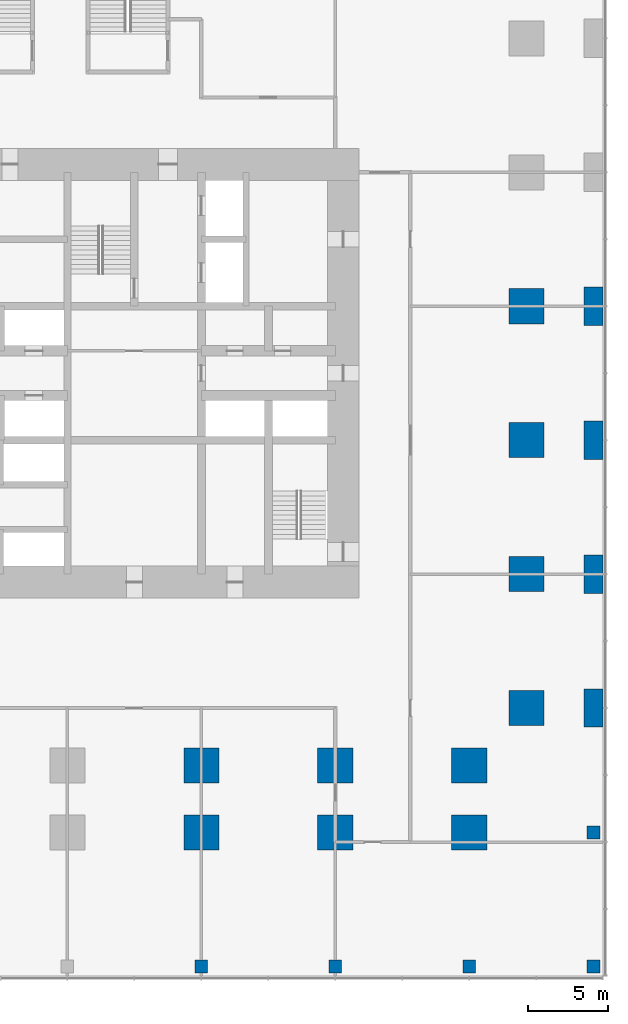
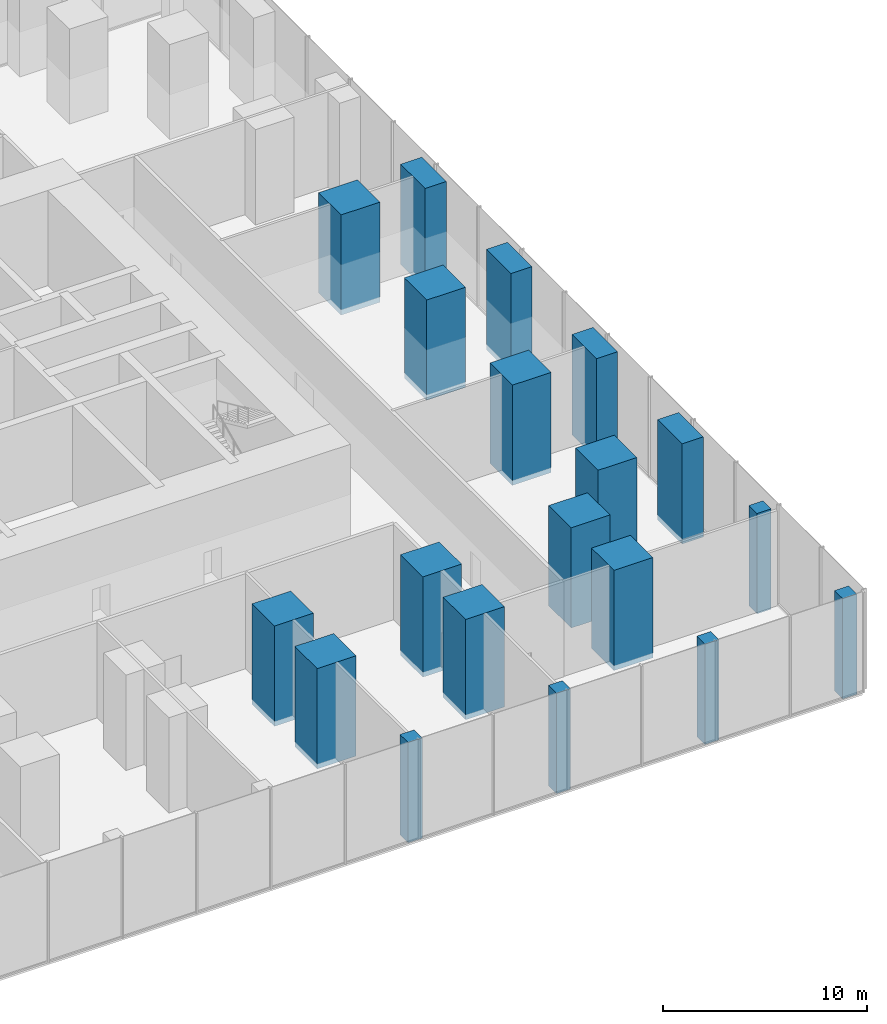
# One storey, part 9 of 32: 19 columns.
"""IFC4 building model written with IfcOpenShell, lengths in metres."""

import ifcopenshell
import ifcopenshell.guid

model = None  # the IFC model being written
_history = None  # IfcOwnerHistory: only IFC2X3 demands one
_inside = {}  # id of a spatial element -> (the spatial element, [elements in it])
_under = {}  # id of a project, library or spatial element -> (it, [spatial elements below it])
_declared = {}  # id of a project -> (the project, [libraries it declares])
_typed = {}  # id of a type object -> (the type object, [elements of that type])
_made_of = {}  # id of a material, layer set ... -> (it, [elements and type objects made of it])


def new_model(schema):
    """Start an empty IFC model of exactly this schema.

    Asked for "IFC4X3", IfcOpenShell would pick the latest addendum, in which some entities
    have other attributes; the version numbers below select the first issue.
    IFC2X3 requires an IfcOwnerHistory on every rooted entity: one is made here for all.
    """
    global model, _history
    if schema == "IFC4X3":
        model = ifcopenshell.file(schema_version=(4, 3, 0, 0))
    else:
        model = ifcopenshell.file(schema=schema)
    _inside.clear()
    _under.clear()
    _declared.clear()
    _typed.clear()
    _made_of.clear()
    _history = None
    if model.schema == "IFC2X3":
        org = make("IfcOrganization", Name="unknown")
        user = make(
            "IfcPersonAndOrganization",
            ThePerson=make("IfcPerson", FamilyName="unknown"),
            TheOrganization=org,
        )
        app = make(
            "IfcApplication",
            ApplicationDeveloper=org,
            Version="unknown",
            ApplicationFullName="unknown",
            ApplicationIdentifier="unknown",
        )
        _history = make(
            "IfcOwnerHistory",
            OwningUser=user,
            OwningApplication=app,
            ChangeAction="ADDED",
            CreationDate=0,
        )
    return model


def make(cls, **values):
    """One entity of the class cls with the attributes given. An attribute that is None is left unset."""
    return model.create_entity(
        cls, **{name: value for name, value in values.items() if value is not None}
    )


def rooted(cls, **values):
    """An entity with a GlobalId (a new one), such as an element, a storey or a relation."""
    return make(cls, GlobalId=ifcopenshell.guid.new(), OwnerHistory=_history, **values)


def si_unit(unit_type, name, prefix=None):
    """IfcSIUnit, for example si_unit("LENGTHUNIT", "METRE", prefix="MILLI")."""
    return make("IfcSIUnit", UnitType=unit_type, Prefix=prefix, Name=name)


def assignment(units):
    """IfcUnitAssignment: the units of a project."""
    return None if units is None else make("IfcUnitAssignment", Units=units)


def point(xyz):
    """IfcCartesianPoint."""
    return None if xyz is None else make("IfcCartesianPoint", Coordinates=xyz)


def direction(xyz):
    """IfcDirection."""
    return None if xyz is None else make("IfcDirection", DirectionRatios=xyz)


def frame(location, z_axis=None, x_axis=None):
    """IfcAxis2Placement3D, a coordinate frame: its origin and axes. An axis left out is left unset."""
    return make(
        "IfcAxis2Placement3D",
        Location=point(location),
        Axis=direction(z_axis),
        RefDirection=direction(x_axis),
    )


def frame_2d(location, x_axis=None):
    """IfcAxis2Placement2D, a coordinate frame in the plane: its origin and x axis."""
    return make(
        "IfcAxis2Placement2D", Location=point(location), RefDirection=direction(x_axis)
    )


def origin():
    """The frame at (0, 0, 0) with its axes left unset."""
    return frame((0.0, 0.0, 0.0))


def origin_2d():
    """The frame at (0, 0) in the plane with its x axis left unset."""
    return frame_2d((0.0, 0.0))


def place(relative_to, where):
    """IfcLocalPlacement: puts the frame where relative to a parent placement (None: the world)."""
    return make(
        "IfcLocalPlacement", PlacementRelTo=relative_to, RelativePlacement=where
    )


def context(
    kind, dimensions, precision=None, world=None, true_north=None, identifier=None
):
    """IfcGeometricRepresentationContext, for example the 3D "Model" context."""
    return make(
        "IfcGeometricRepresentationContext",
        ContextIdentifier=identifier,
        ContextType=kind,
        CoordinateSpaceDimension=dimensions,
        Precision=precision,
        WorldCoordinateSystem=world,
        TrueNorth=true_north,
    )


def subcontext(parent, identifier, kind, view, scale=None):
    """IfcGeometricRepresentationSubContext, for example "Body" below "Model"."""
    return make(
        "IfcGeometricRepresentationSubContext",
        ContextIdentifier=identifier,
        ContextType=kind,
        ParentContext=parent,
        TargetScale=scale,
        TargetView=view,
    )


def project(units=None, contexts=None):
    """IfcProject with its units and contexts."""
    return rooted(
        "IfcProject",
        Name="project",
        RepresentationContexts=contexts,
        UnitsInContext=assignment(units),
    )


def spatial(cls, under=None, at=None, **own):
    """A site, building, storey or space (cls), placed at a placement, below another one or the project."""
    s = rooted(cls, ObjectPlacement=at, **own)
    if under is not None:
        _under.setdefault(under.id(), (under, []))[1].append(s)
    return s


def profile(cls, at=None, kind="AREA", **sizes):
    """A parametric profile (cls). Its sizes go by their IFC names, for example OverallWidth=200.0."""
    return make(cls, ProfileType=kind, Position=at, **sizes)


def rectangle(**sizes):
    """IfcRectangleProfileDef."""
    return profile("IfcRectangleProfileDef", **sizes)


def extrude(swept, where, along, depth):
    """IfcExtrudedAreaSolid: the profile swept, set in the frame where, extruded along a direction by depth."""
    return make(
        "IfcExtrudedAreaSolid",
        SweptArea=swept,
        Position=where,
        ExtrudedDirection=direction(along),
        Depth=depth,
    )


def shape(context_of_items, identifier, shape_type, items):
    """IfcShapeRepresentation: the items that make up one representation, for example the "Body"."""
    return make(
        "IfcShapeRepresentation",
        ContextOfItems=context_of_items,
        RepresentationIdentifier=identifier,
        RepresentationType=shape_type,
        Items=items,
    )


def material(Name=None, Category=None):
    """IfcMaterial."""
    return make("IfcMaterial", Name=Name, Category=Category)


def material_profile(
    of_material, cross_section, Name=None, Category=None, Priority=None
):
    """IfcMaterialProfile: a cross section and its material."""
    return make(
        "IfcMaterialProfile",
        Name=Name,
        Material=of_material,
        Profile=cross_section,
        Priority=Priority,
        Category=Category,
    )


def profile_set(profiles, Name=None, composite=None):
    """IfcMaterialProfileSet."""
    return make(
        "IfcMaterialProfileSet",
        Name=Name,
        MaterialProfiles=profiles,
        CompositeProfile=composite,
    )


def made_of(thing, what):
    """Note that an element or type object is made of a material, layer set ...; save() writes the relation."""
    if what is not None:
        _made_of.setdefault(what.id(), (what, []))[1].append(thing)
    return thing


def type_object(cls, material=None, **own):
    """A type object (cls), such as IfcWallType, which elements share."""
    return made_of(rooted(cls, **own), material)


def element(
    cls,
    number,
    at=None,
    inside=None,
    cuts=None,
    type_object=None,
    material=None,
    context=None,
    identifier="Body",
    shape_type=None,
    held_by="IfcProductDefinitionShape",
    body=None,
    shapes=None,
    **own,
):
    """One element of the class cls, such as IfcWall. Its Tag is "e" and its number.

    at: its placement. inside: the storey or other place that contains it. cuts: it is an
    opening in that element (IfcRelVoidsElement). A single representation is given by context,
    identifier, shape_type and body (its items); several are given by shapes. held_by: the class
    of the entity that holds the representations. save() writes the other relations.
    """
    e = rooted(cls, Tag="e%d" % number, ObjectPlacement=at, **own)
    if body is not None:
        shapes = [shape(context, identifier, shape_type, body)]
    if shapes is not None:
        e.Representation = make(held_by, Representations=shapes)
    if inside is not None:
        _inside.setdefault(inside.id(), (inside, []))[1].append(e)
    if cuts is not None:
        rooted(
            "IfcRelVoidsElement", RelatingBuildingElement=cuts, RelatedOpeningElement=e
        )
    if type_object is not None:
        _typed.setdefault(type_object.id(), (type_object, []))[1].append(e)
    return made_of(e, material)


def aggregate(whole, parts):
    """IfcRelAggregates: a whole, such as a stair, and the parts it consists of."""
    return rooted("IfcRelAggregates", RelatingObject=whole, RelatedObjects=parts)


def save(model, path):
    """Write the relations noted so far, then the file.

    IfcRelAggregates (storeys below a building ...), IfcRelContainedInSpatialStructure (elements
    in a storey), IfcRelDefinesByType, IfcRelAssociatesMaterial and IfcRelDeclares: one each for
    every whole, place, type object, material and project.
    """
    for whole, parts in _under.values():
        aggregate(whole, parts)
    for where, things in _inside.values():
        rooted(
            "IfcRelContainedInSpatialStructure",
            RelatedElements=things,
            RelatingStructure=where,
        )
    for kind, things in _typed.values():
        rooted("IfcRelDefinesByType", RelatedObjects=things, RelatingType=kind)
    for what, things in _made_of.values():
        rooted("IfcRelAssociatesMaterial", RelatedObjects=things, RelatingMaterial=what)
    for by, libraries in _declared.values():
        rooted("IfcRelDeclares", RelatingContext=by, RelatedDefinitions=libraries)
    model.write(path)


model = new_model("IFC4")

# Units and contexts
model_context = context("Model", 3, precision=1e-05, world=origin(), true_north=direction((0.0, 1.0)))
body_context = subcontext(model_context, "Body", "Model", "MODEL_VIEW")
ifc_project = project(units=[si_unit("LENGTHUNIT", "METRE"), si_unit("AREAUNIT", "SQUARE_METRE"), si_unit("VOLUMEUNIT", "CUBIC_METRE"), si_unit("PLANEANGLEUNIT", "RADIAN"), si_unit("MASSUNIT", "GRAM", prefix="KILO")], contexts=[model_context])

# Site, building, storey
site_placement = place(None, origin())
site = spatial("IfcSite", under=ifc_project, at=site_placement, CompositionType="ELEMENT")
building_placement = place(site_placement, origin())
building = spatial("IfcBuilding", under=site, at=building_placement, Name="Dunama Terrace Hotel", CompositionType="ELEMENT")
storey_placement = place(building_placement, frame((0.0, 0.0, 6.0)))
storey = spatial("IfcBuildingStorey", under=building, at=storey_placement, Name="L01", CompositionType="ELEMENT", Elevation=6.0)

# Columns
ifc_material_1 = material(Name="Concrete C60/75", Category="concrete")
ifc_material_profile_1 = material_profile(ifc_material_1, rectangle(XDim=1.199951171875, YDim=2.39990234375, at=origin_2d()), Name="RC 1200x2400")
ifc_profile_set_1 = profile_set([ifc_material_profile_1], Name="Concrete C60/75")
column_type_1 = type_object("IfcColumnType", Name="Column RC 1200x2400", PredefinedType="COLUMN", material=ifc_profile_set_1)
for number, where, z_axis, x_axis, name in (
    (1, (58.199951171875, 8.39990234375, -0.300048828125), (0.0, 0.0, 1.0), (1.0, 0.0, 0.0), "Column L01 +58.2/+8.4"),
    (2, (58.199951171875, 16.800048828125, -0.300048828125), (0.0, 0.0, 1.0), (1.0, 0.0, 0.0), "Column L01 +58.2/+16.8"),
    (3, (58.199951171875, 25.199951171875, -0.300048828125), (0.0, 0.0, 1.0), (1.0, 0.0, 0.0), "Column L01 +58.2/+25.2"),
    (4, (58.199951171875, 33.60009765625, -0.300048828125), (0.0, 0.0, 1.0), (1.0, 0.0, 0.0), "Column L01 +58.2/+33.6"),
):
    element("IfcColumn", number, at=place(storey_placement, frame(where, z_axis=z_axis, x_axis=x_axis)), inside=storey, type_object=column_type_1, Name=name, PredefinedType="COLUMN", context=body_context, shape_type="SweptSolid", body=[
        extrude(rectangle(XDim=1.199951171875, YDim=2.39990234375, at=origin_2d()), origin(), (0.0, 0.0, 1.0), 6.0),
    ])
ifc_material_2 = material(Name="Concrete C60/75", Category="concrete")
ifc_material_profile_2 = material_profile(ifc_material_2, rectangle(XDim=2.199951171875, YDim=2.199951171875, at=origin_2d()), Name="RC 2200x2200")
ifc_profile_set_2 = profile_set([ifc_material_profile_2], Name="Concrete C60/75")
column_type_2 = type_object("IfcColumnType", Name="Column RC 2200x2200", PredefinedType="COLUMN", material=ifc_profile_set_2)
for number, where, z_axis, x_axis, name in (
    (5, (33.60009765625, 0.60009765625, -0.300048828125), (0.0, 0.0, 1.0), (1.0, 0.0, 0.0), "Column L01 +33.6/+0.6"),
    (6, (33.60009765625, 4.800048828125, -0.300048828125), (0.0, 0.0, 1.0), (1.0, 0.0, 0.0), "Column L01 +33.6/+4.8"),
    (7, (42.0, 0.60009765625, -0.300048828125), (0.0, 0.0, 1.0), (1.0, 0.0, 0.0), "Column L01 +42.0/+0.6"),
    (8, (42.0, 4.800048828125, -0.300048828125), (0.0, 0.0, 1.0), (1.0, 0.0, 0.0), "Column L01 +42.0/+4.8"),
    (9, (50.39990234375, 0.60009765625, -0.300048828125), (0.0, 0.0, 1.0), (1.0, 0.0, 0.0), "Column L01 +50.4/+0.6"),
    (10, (50.39990234375, 4.800048828125, -0.300048828125), (0.0, 0.0, 1.0), (1.0, 0.0, 0.0), "Column L01 +50.4/+4.8"),
    (11, (54.0, 8.39990234375, -0.300048828125), (0.0, 0.0, 1.0), (1.0, 0.0, 0.0), "Column L01 +54.0/+8.4"),
    (12, (54.0, 16.800048828125, -0.300048828125), (0.0, 0.0, 1.0), (1.0, 0.0, 0.0), "Column L01 +54.0/+16.8"),
    (13, (54.0, 25.199951171875, -0.300048828125), (0.0, 0.0, 1.0), (1.0, 0.0, 0.0), "Column L01 +54.0/+25.2"),
    (14, (54.0, 33.60009765625, -0.300048828125), (0.0, 0.0, 1.0), (1.0, 0.0, 0.0), "Column L01 +54.0/+33.6"),
):
    element("IfcColumn", number, at=place(storey_placement, frame(where, z_axis=z_axis, x_axis=x_axis)), inside=storey, type_object=column_type_2, Name=name, PredefinedType="COLUMN", context=body_context, shape_type="SweptSolid", body=[
        extrude(rectangle(XDim=2.199951171875, YDim=2.199951171875, at=origin_2d()), origin(), (0.0, 0.0, 1.0), 6.0),
    ])
ifc_material_3 = material(Name="Concrete C40/50", Category="concrete")
ifc_material_profile_3 = material_profile(ifc_material_3, rectangle(XDim=0.800048828125, YDim=0.800048828125, at=origin_2d()), Name="RC 800x800")
ifc_profile_set_3 = profile_set([ifc_material_profile_3], Name="Concrete C40/50")
column_type_3 = type_object("IfcColumnType", Name="Column RC 800x800", PredefinedType="COLUMN", material=ifc_profile_set_3)
for number, where, z_axis, x_axis, name in (
    (15, (33.60009765625, -7.800048828125, -0.300048828125), (0.0, 0.0, 1.0), (1.0, 0.0, 0.0), "Column L01 +33.6/-7.8"),
    (16, (42.0, -7.800048828125, -0.300048828125), (0.0, 0.0, 1.0), (1.0, 0.0, 0.0), "Column L01 +42.0/-7.8"),
    (17, (50.39990234375, -7.800048828125, -0.300048828125), (0.0, 0.0, 1.0), (1.0, 0.0, 0.0), "Column L01 +50.4/-7.8"),
    (18, (58.199951171875, -7.800048828125, -0.300048828125), (0.0, 0.0, 1.0), (1.0, 0.0, 0.0), "Column L01 +58.2/-7.8"),
    (19, (58.199951171875, 0.60009765625, -0.300048828125), (0.0, 0.0, 1.0), (1.0, 0.0, 0.0), "Column L01 +58.2/+0.6"),
):
    element("IfcColumn", number, at=place(storey_placement, frame(where, z_axis=z_axis, x_axis=x_axis)), inside=storey, type_object=column_type_3, Name=name, PredefinedType="COLUMN", context=body_context, shape_type="SweptSolid", body=[
        extrude(rectangle(XDim=0.800048828125, YDim=0.800048828125, at=origin_2d()), origin(), (0.0, 0.0, 1.0), 6.0),
    ])

save(model, "model.ifc")
